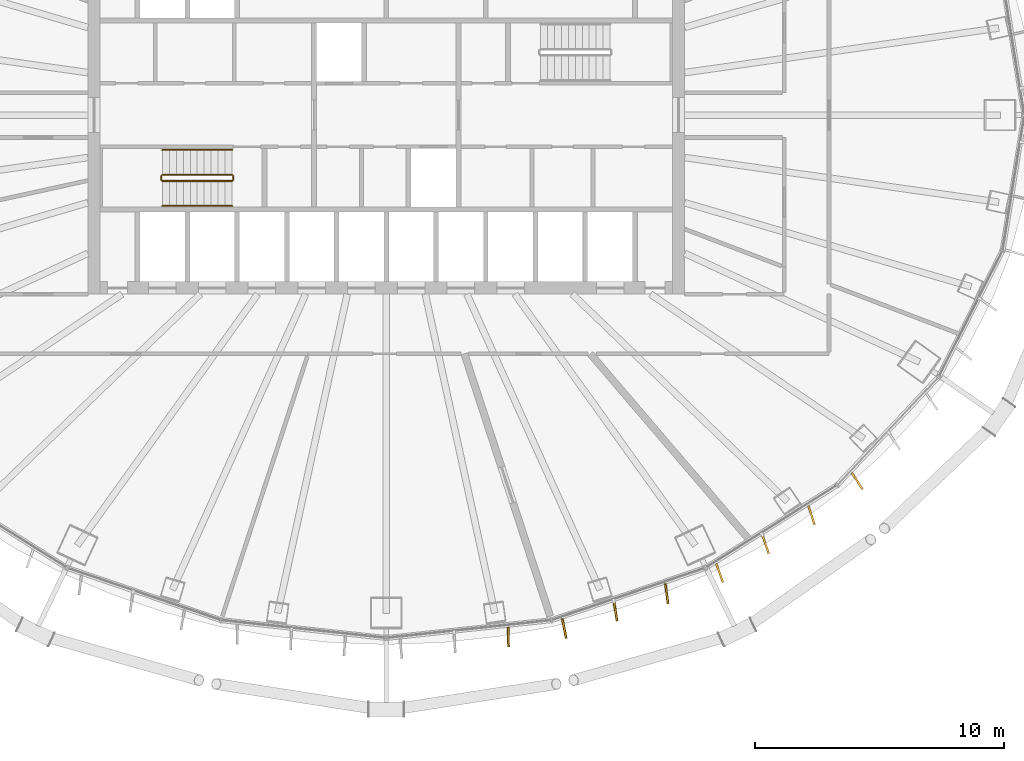
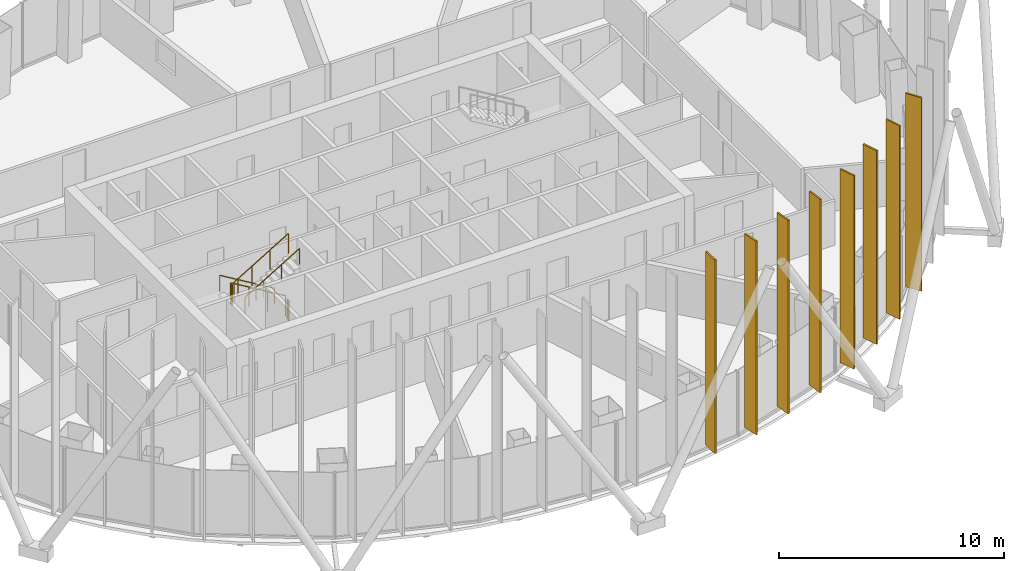
# One storey, part 18 of 20: 8 shading devices, 6 railings.
"""IFC4 building model written with IfcOpenShell, lengths in metres."""

from ifc_helpers import new_model, si_unit, direction, frame, origin, origin_2d, place, context, subcontext, project, spatial, rectangle, circle, extrude, material, layer, layer_set, type_object, element, save


model = new_model("IFC4")

# Units and contexts
model_context = context("Model", 3, precision=1e-05, world=origin(), true_north=direction((0.0, 1.0)))
body_context = subcontext(model_context, "Body", "Model", "MODEL_VIEW")
ifc_project = project(units=[si_unit("LENGTHUNIT", "METRE"), si_unit("AREAUNIT", "SQUARE_METRE"), si_unit("VOLUMEUNIT", "CUBIC_METRE"), si_unit("PLANEANGLEUNIT", "RADIAN"), si_unit("MASSUNIT", "GRAM", prefix="KILO")], contexts=[model_context])

# Site, building, storey
site_placement = place(None, origin())
site = spatial("IfcSite", under=ifc_project, at=site_placement, CompositionType="ELEMENT")
building_placement = place(site_placement, origin())
building = spatial("IfcBuilding", under=site, at=building_placement, Name="Siaravel Broadcast Tower", CompositionType="ELEMENT")
storey_placement = place(building_placement, frame((0.0, 0.0, 108.199951171875)))
storey = spatial("IfcBuildingStorey", under=building, at=storey_placement, Name="L25", CompositionType="ELEMENT", Elevation=108.199951171875)

# Shading devices
ifc_material_1 = material(Name="Bronze anodised aluminium", Category="aluminium")
ifc_layer = layer(ifc_material_1, 0.080078125)
ifc_layer_set = layer_set([ifc_layer], Name="Bronze anodised aluminium")
shading_device_type = type_object("IfcShadingDeviceType", Name="Bronze fin zone 2", PredefinedType="USERDEFINED", material=ifc_layer_set)
for number, where, z_axis, x_axis, name in (
    (1, (4.909912109375, -20.983154296875, 0.300048828125), (0.0, 0.0, 1.0), (0.015356548, -0.999882081, 0.0), "Bronze fin L25-53"),
    (2, (7.156005859375, -20.643798828125, 0.300048828125), (0.0, 0.0, 1.0), (0.196505771, -0.980502668, 0.0), "Bronze fin L25-54"),
    (3, (9.21435546875, -19.943359375, 0.300048828125), (0.0, 0.0, 1.0), (0.162888585, -0.986644469, 0.0), "Bronze fin L25-55"),
    (4, (11.274658203125, -19.241943359375, 0.300048828125), (0.0, 0.0, 1.0), (0.133929109, -0.990990915, 0.0), "Bronze fin L25-56"),
    (5, (13.400146484375, -18.412109375, 0.300048828125), (0.0, 0.0, 1.0), (0.338258369, -0.94105328, 0.0), "Bronze fin L25-57"),
    (6, (15.24609375, -17.25, 0.300048828125), (0.0, 0.0, 1.0), (0.322092207, -0.946708302, 0.0), "Bronze fin L25-58"),
    (7, (17.094970703125, -16.0869140625, 0.300048828125), (0.0, 0.0, 1.0), (0.313187012, -0.949691474, 0.0), "Bronze fin L25-59"),
    (8, (18.933837890625, -14.715576171875, 0.300048828125), (0.0, 0.0, 1.0), (0.543165657, -0.839625553, 0.0), "Bronze fin L25-60"),
):
    element("IfcShadingDevice", number, at=place(storey_placement, frame(where, z_axis=z_axis, x_axis=x_axis)), inside=storey, type_object=shading_device_type, Name=name, ObjectType="FIN", PredefinedType="USERDEFINED", context=body_context, shape_type="SweptSolid", body=[
        extrude(rectangle(XDim=0.800048828125, YDim=0.080078125, at=origin_2d()), origin(), (0.0, 0.0, 1.0), 10.5),
    ])

# Railings
ifc_material_2 = material(Name="Stainless steel 316L", Category="steel")
railing_type_1 = type_object("IfcRailingType", Name="Stair guard 1100", PredefinedType="GUARDRAIL", material=ifc_material_2)
railing_1_placement = place(storey_placement, frame((-6.199951171875, -2.39990234375, 0.168212890625)))
element("IfcRailing", 9, at=railing_1_placement, inside=storey, type_object=railing_type_1, Name="L25 ST-1 stair guard 1", PredefinedType="GUARDRAIL", context=body_context, shape_type="SweptSolid", body=[
    extrude(circle(Radius=0.02392578125, at=origin_2d()), frame((0.0, 0.0, 1.076171875), z_axis=(-0.857242211, 0.0, 0.514913383), x_axis=(0.0, -1.0, 0.0)), (0.0, 0.0, 1.0), 3.266357421875),
    extrude(circle(Radius=0.02099609375, at=origin_2d()), origin(), (0.0, 0.0, 1.0), 1.052001953125),
    extrude(circle(Radius=0.02099609375, at=origin_2d()), frame((-0.933349609375, 0.0, 0.560546875)), (0.0, 0.0, 1.0), 1.052001953125),
    extrude(circle(Radius=0.02099609375, at=origin_2d()), frame((-1.86669921875, 0.0, 1.121337890625)), (0.0, 0.0, 1.0), 1.052001953125),
    extrude(circle(Radius=0.02099609375, at=origin_2d()), frame((-2.800048828125, 0.0, 1.681884765625)), (0.0, 0.0, 1.0), 1.052001953125),
])
railing_2_placement = place(storey_placement, frame((-9.050048828125, -2.449951171875, 1.85009765625)))
element("IfcRailing", 10, at=railing_2_placement, inside=storey, type_object=railing_type_1, Name="L25 ST-1 stair guard 2", PredefinedType="GUARDRAIL", context=body_context, shape_type="SweptSolid", body=[
    extrude(circle(Radius=0.02392578125, at=origin_2d()), frame((0.0, 0.0, 1.076171875), z_axis=(0.0, -1.0, 0.0), x_axis=(1.0, 0.0, 0.0)), (0.0, 0.0, 1.0), 0.150146484375),
    extrude(circle(Radius=0.02099609375, at=origin_2d()), origin(), (0.0, 0.0, 1.0), 1.052001953125),
    extrude(circle(Radius=0.02099609375, at=origin_2d()), frame((0.0, -0.150146484375, 0.0)), (0.0, 0.0, 1.0), 1.052001953125),
])
railing_3_placement = place(storey_placement, frame((-9.0, -2.64990234375, 2.018310546875)))
element("IfcRailing", 11, at=railing_3_placement, inside=storey, type_object=railing_type_1, Name="L25 ST-1 stair guard 3", PredefinedType="GUARDRAIL", context=body_context, shape_type="SweptSolid", body=[
    extrude(circle(Radius=0.02392578125, at=origin_2d()), frame((0.0, 0.0, 1.076171875), z_axis=(0.857275203, 0.0, 0.514858453), x_axis=(0.0, 1.0, 0.0)), (0.0, 0.0, 1.0), 3.26611328125),
    extrude(circle(Radius=0.02099609375, at=origin_2d()), origin(), (0.0, 0.0, 1.0), 1.052001953125),
    extrude(circle(Radius=0.02099609375, at=origin_2d()), frame((0.933349609375, 0.0, 0.560546875)), (0.0, 0.0, 1.0), 1.052001953125),
    extrude(circle(Radius=0.02099609375, at=origin_2d()), frame((1.86669921875, 0.0, 1.12109375)), (0.0, 0.0, 1.0), 1.052001953125),
    extrude(circle(Radius=0.02099609375, at=origin_2d()), frame((2.800048828125, 0.0, 1.681640625)), (0.0, 0.0, 1.0), 1.052001953125),
])
railing_4_placement = place(storey_placement, frame((-6.14990234375, -2.449951171875, 0.0)))
element("IfcRailing", 12, at=railing_4_placement, inside=storey, type_object=railing_type_1, Name="L25 ST-1 stair guard 4", PredefinedType="GUARDRAIL", context=body_context, shape_type="SweptSolid", body=[
    extrude(circle(Radius=0.02392578125, at=origin_2d()), frame((0.0, 0.0, 1.076171875), z_axis=(0.0, -1.0, 0.0), x_axis=(1.0, 0.0, 0.0)), (0.0, 0.0, 1.0), 0.150146484375),
    extrude(circle(Radius=0.02099609375, at=origin_2d()), origin(), (0.0, 0.0, 1.0), 1.052001953125),
    extrude(circle(Radius=0.02099609375, at=origin_2d()), frame((0.0, -0.150146484375, 0.0)), (0.0, 0.0, 1.0), 1.052001953125),
])
railing_type_2 = type_object("IfcRailingType", Name="Stair handrail 900", PredefinedType="HANDRAIL", material=ifc_material_2)
railing_5_placement = place(storey_placement, frame((-6.199951171875, -1.39990234375, 0.168212890625)))
element("IfcRailing", 13, at=railing_5_placement, inside=storey, type_object=railing_type_2, Name="L25 ST-1 stair handrail 1", PredefinedType="HANDRAIL", context=body_context, shape_type="SweptSolid", body=[
    extrude(circle(Radius=0.02392578125, at=origin_2d()), frame((0.0, 0.0, 0.8759765625), z_axis=(-0.857242211, 0.0, 0.514913383), x_axis=(0.0, -1.0, 0.0)), (0.0, 0.0, 1.0), 3.266357421875),
    extrude(circle(Radius=0.02099609375, at=origin_2d()), origin(), (0.0, 0.0, 1.0), 0.851806640625),
    extrude(circle(Radius=0.02099609375, at=origin_2d()), frame((-0.933349609375, 0.0, 0.560546875)), (0.0, 0.0, 1.0), 0.851806640625),
    extrude(circle(Radius=0.02099609375, at=origin_2d()), frame((-1.86669921875, 0.0, 1.121337890625)), (0.0, 0.0, 1.0), 0.851806640625),
    extrude(circle(Radius=0.02099609375, at=origin_2d()), frame((-2.800048828125, 0.0, 1.681884765625)), (0.0, 0.0, 1.0), 0.851806640625),
])
railing_6_placement = place(storey_placement, frame((-9.0, -3.64990234375, 2.018310546875)))
element("IfcRailing", 14, at=railing_6_placement, inside=storey, type_object=railing_type_2, Name="L25 ST-1 stair handrail 2", PredefinedType="HANDRAIL", context=body_context, shape_type="SweptSolid", body=[
    extrude(circle(Radius=0.02392578125, at=origin_2d()), frame((0.0, 0.0, 0.8759765625), z_axis=(0.857275203, 0.0, 0.514858453), x_axis=(0.0, 1.0, 0.0)), (0.0, 0.0, 1.0), 3.26611328125),
    extrude(circle(Radius=0.02099609375, at=origin_2d()), origin(), (0.0, 0.0, 1.0), 0.851806640625),
    extrude(circle(Radius=0.02099609375, at=origin_2d()), frame((0.933349609375, 0.0, 0.560546875)), (0.0, 0.0, 1.0), 0.851806640625),
    extrude(circle(Radius=0.02099609375, at=origin_2d()), frame((1.86669921875, 0.0, 1.12109375)), (0.0, 0.0, 1.0), 0.851806640625),
    extrude(circle(Radius=0.02099609375, at=origin_2d()), frame((2.800048828125, 0.0, 1.681640625)), (0.0, 0.0, 1.0), 0.851806640625),
])

save(model, "model.ifc")
